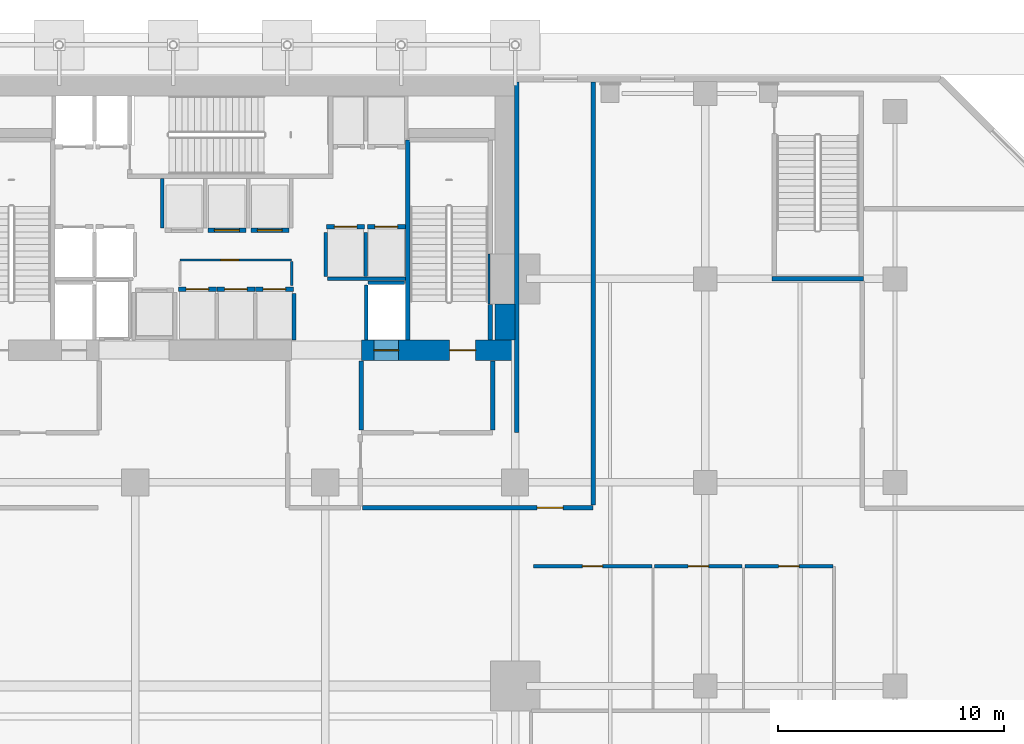
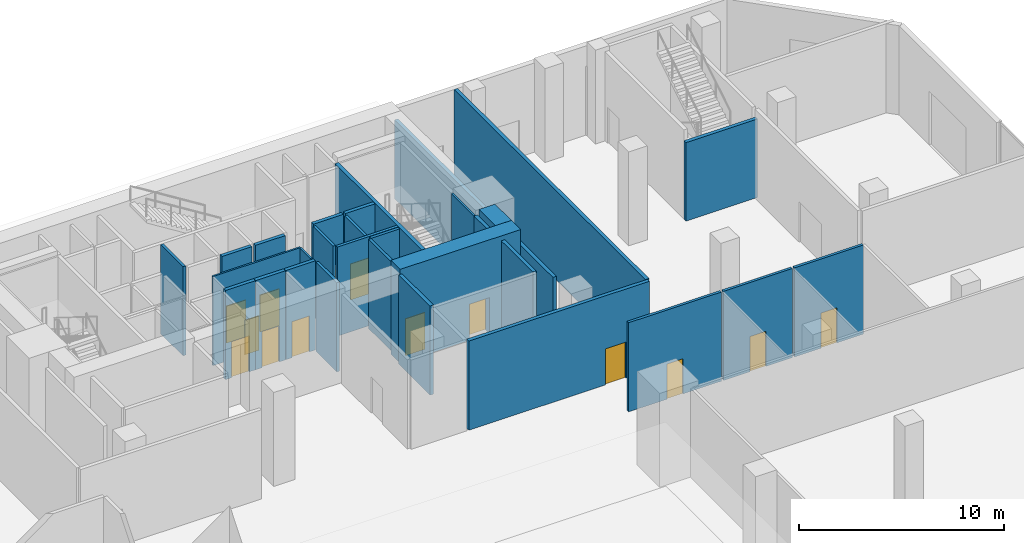
# One storey, part 29 of 35: 30 walls, 14 doors, 14 openings.
"""IFC4 building model written with IfcOpenShell, lengths in metres."""

from ifc_helpers import new_model, si_unit, direction, frame, frame_2d, origin, place, context, subcontext, project, spatial, rectangle, extrude, material, layer, layer_set, type_object, element, fill, save


model = new_model("IFC4")

# Units and contexts
model_context = context("Model", 3, precision=1e-05, world=origin(), true_north=direction((0.0, 1.0)))
body_context = subcontext(model_context, "Body", "Model", "MODEL_VIEW")
ifc_project = project(units=[si_unit("LENGTHUNIT", "METRE"), si_unit("AREAUNIT", "SQUARE_METRE"), si_unit("VOLUMEUNIT", "CUBIC_METRE"), si_unit("PLANEANGLEUNIT", "RADIAN"), si_unit("MASSUNIT", "GRAM", prefix="KILO")], contexts=[model_context])

# Site, building, storey
site_placement = place(None, origin())
site = spatial("IfcSite", under=ifc_project, at=site_placement, CompositionType="ELEMENT")
building_placement = place(site_placement, origin())
building = spatial("IfcBuilding", under=site, at=building_placement, Name="Maruvema Waterfront Hotel and Observation Tower", CompositionType="ELEMENT")
storey_placement = place(building_placement, origin())
storey = spatial("IfcBuildingStorey", under=building, at=storey_placement, Name="L00", CompositionType="ELEMENT", Elevation=0.0)

# Wall, opening, door
ifc_material_1 = material(Name="Twin-stud acoustic gypsum drywall", Category="gypsum")
ifc_layer_1 = layer(ifc_material_1, 0.14990234375, Name="Acoustic Corridor and Suite Demising Wall 150 mm")
ifc_layer_set_1 = layer_set([ifc_layer_1], Name="Twin-stud acoustic gypsum drywall")
wall_type_1 = type_object("IfcWallType", Name="Acoustic Corridor and Suite Demising Wall 150 mm", PredefinedType="PARTITIONING", material=ifc_layer_set_1)
wall_1_placement = place(storey_placement, frame((51.199951171875, 32.300048828125, 0.0), z_axis=(0.0, 0.0, 1.0), x_axis=(1.0, 0.0, 0.0)))
wall_1 = element("IfcWall", 1, at=wall_1_placement, inside=storey, type_object=wall_type_1, Name="L00 L00 Storage Wall 030", PredefinedType="PARTITIONING", context=body_context, shape_type="SweptSolid", body=[
    extrude(rectangle(XDim=5.239990234375, YDim=0.14990234375, at=frame_2d((2.6201171875, 0.0))), origin(), (0.0, 0.0, 1.0), 5.320068359375),
])
opening_1_placement = place(wall_1_placement, frame((2.169921875, 0.0, 0.0)))
opening_1 = element("IfcOpeningElement", 2, at=opening_1_placement, cuts=wall_1, Name="Opening DR-090", PredefinedType="OPENING", context=body_context, shape_type="SweptSolid", body=[
    extrude(rectangle(XDim=0.89990234375, YDim=2.10009765625, at=frame_2d((0.449951171875, 1.050048828125))), frame((0.0, 0.0849609375, 0.0), z_axis=(0.0, -1.0, 0.0), x_axis=(1.0, 0.0, 0.0)), (0.0, 0.0, 1.0), 0.169921875),
])
ifc_material_2 = material(Name="Solid-core lacquered timber leaf", Category="wood")
door_type_1 = type_object("IfcDoorType", Name="Accessible Toilet and Room Door 900x2100 mm", OperationType="NOTDEFINED", PredefinedType="DOOR", material=ifc_material_2)
door_1_placement = place(opening_1_placement, origin())
door_1 = element("IfcDoor", 3, at=door_1_placement, inside=storey, type_object=door_type_1, Name="L00 Back of House Storage Door", OperationType="SINGLE_SWING_LEFT", OverallHeight=2.10009765625, OverallWidth=0.89990234375, PredefinedType="DOOR", context=body_context, shape_type="SweptSolid", body=[
    extrude(rectangle(XDim=0.89990234375, YDim=2.10009765625, at=frame_2d((0.449951171875, 1.050048828125))), frame((0.0, 0.02490234375, 0.0), z_axis=(0.0, -1.0, 0.0), x_axis=(1.0, 0.0, 0.0)), (0.0, 0.0, 1.0), 0.050048828125),
])
fill(opening_1, door_1)

wall_2_placement = place(storey_placement, frame((56.56005859375, 32.300048828125, 0.0), z_axis=(0.0, 0.0, 1.0), x_axis=(1.0, 0.0, 0.0)))
wall_2 = element("IfcWall", 4, at=wall_2_placement, inside=storey, type_object=wall_type_1, Name="L00 L00 Public WC Wall 031", PredefinedType="PARTITIONING", context=body_context, shape_type="SweptSolid", body=[
    extrude(rectangle(XDim=3.8798828125, YDim=0.14990234375, at=frame_2d((1.93994140625, 0.0))), origin(), (0.0, 0.0, 1.0), 5.320068359375),
])
opening_2_placement = place(wall_2_placement, frame((1.489990234375, 0.0, 0.0)))
opening_2 = element("IfcOpeningElement", 5, at=opening_2_placement, cuts=wall_2, Name="Opening DR-090", PredefinedType="OPENING", context=body_context, shape_type="SweptSolid", body=[
    extrude(rectangle(XDim=0.89990234375, YDim=2.10009765625, at=frame_2d((0.449951171875, 1.050048828125))), frame((0.0, 0.0849609375, 0.0), z_axis=(0.0, -1.0, 0.0), x_axis=(1.0, 0.0, 0.0)), (0.0, 0.0, 1.0), 0.169921875),
])
door_2_placement = place(opening_2_placement, origin())
door_2 = element("IfcDoor", 6, at=door_2_placement, inside=storey, type_object=door_type_1, Name="L00 Public Toilet Door", OperationType="SINGLE_SWING_RIGHT", OverallHeight=2.10009765625, OverallWidth=0.89990234375, PredefinedType="DOOR", context=body_context, shape_type="SweptSolid", body=[
    extrude(rectangle(XDim=0.89990234375, YDim=2.10009765625, at=frame_2d((0.449951171875, 1.050048828125))), frame((0.0, 0.02490234375, 0.0), z_axis=(0.0, -1.0, 0.0), x_axis=(1.0, 0.0, 0.0)), (0.0, 0.0, 1.0), 0.050048828125),
])
fill(opening_2, door_2)

wall_3_placement = place(storey_placement, frame((60.56005859375, 32.300048828125, 0.0), z_axis=(0.0, 0.0, 1.0), x_axis=(1.0, 0.0, 0.0)))
wall_3 = element("IfcWall", 7, at=wall_3_placement, inside=storey, type_object=wall_type_1, Name="L00 L00 Acc WC Wall 032", PredefinedType="PARTITIONING", context=body_context, shape_type="SweptSolid", body=[
    extrude(rectangle(XDim=3.889892578125, YDim=0.14990234375, at=frame_2d((1.94482421875, 0.0))), origin(), (0.0, 0.0, 1.0), 5.320068359375),
])
opening_3_placement = place(wall_3_placement, frame((1.4951171875, 0.0, 0.0)))
opening_3 = element("IfcOpeningElement", 8, at=opening_3_placement, cuts=wall_3, Name="Opening DR-090", PredefinedType="OPENING", context=body_context, shape_type="SweptSolid", body=[
    extrude(rectangle(XDim=0.89990234375, YDim=2.10009765625, at=frame_2d((0.449951171875, 1.050048828125))), frame((0.0, 0.0849609375, 0.0), z_axis=(0.0, -1.0, 0.0), x_axis=(1.0, 0.0, 0.0)), (0.0, 0.0, 1.0), 0.169921875),
])
door_3_placement = place(opening_3_placement, origin())
door_3 = element("IfcDoor", 9, at=door_3_placement, inside=storey, type_object=door_type_1, Name="L00 Accessible WC Door", OperationType="SINGLE_SWING_LEFT", OverallHeight=2.10009765625, OverallWidth=0.89990234375, PredefinedType="DOOR", context=body_context, shape_type="SweptSolid", body=[
    extrude(rectangle(XDim=0.89990234375, YDim=2.10009765625, at=frame_2d((0.449951171875, 1.050048828125))), frame((0.0, 0.02490234375, 0.0), z_axis=(0.0, -1.0, 0.0), x_axis=(1.0, 0.0, 0.0)), (0.0, 0.0, 1.0), 0.050048828125),
])
fill(opening_3, door_3)

# Walls
ifc_material_3 = material(Name="Precast concrete C45/55", Category="concrete")
ifc_layer_2 = layer(ifc_material_3, 0.199951171875, Name="Core Shaft and Stairwell Enclosure Wall 200 mm")
ifc_layer_set_2 = layer_set([ifc_layer_2], Name="Precast concrete C45/55")
wall_type_2 = type_object("IfcWallType", Name="Core Shaft and Stairwell Enclosure Wall 200 mm", PredefinedType="SOLIDWALL", material=ifc_layer_set_2)
wall_4_placement = place(storey_placement, frame((45.64990234375, 42.300048828125, 0.0), z_axis=(0.0, 0.0, 1.0), x_axis=(0.0, 1.0, 0.0)))
element("IfcWall", 10, at=wall_4_placement, inside=storey, type_object=wall_type_2, Name="L00 Stairwell ST-03 West Shaft Wall", PredefinedType="SOLIDWALL", context=body_context, shape_type="SweptSolid", body=[
    extrude(rectangle(XDim=8.849853515625, YDim=0.199951171875, at=frame_2d((4.4248046875, 0.0))), origin(), (0.0, 0.0, 1.0), 5.320068359375),
])
wall_5_placement = place(storey_placement, frame((49.300048828125, 42.300048828125, 0.0), z_axis=(0.0, 0.0, 1.0), x_axis=(0.0, 1.0, 0.0)))
element("IfcWall", 11, at=wall_5_placement, inside=storey, type_object=wall_type_2, Name="L00 Stairwell ST-03 Shaft Lining Wall", PredefinedType="SOLIDWALL", context=body_context, shape_type="SweptSolid", body=[
    extrude(rectangle(XDim=1.579833984375, YDim=0.199951171875, at=frame_2d((0.7900390625, 0.0))), origin(), (0.0, 0.0, 1.0), 5.320068359375),
])
wall_6_placement = place(storey_placement, frame((61.75, 45.0, 0.0), z_axis=(0.0, 0.0, 1.0), x_axis=(1.0, 0.0, 0.0)))
element("IfcWall", 12, at=wall_6_placement, inside=storey, type_object=wall_type_2, Name="L00 Stairwell ST-05 Shaft Wall", PredefinedType="SOLIDWALL", context=body_context, shape_type="SweptSolid", body=[
    extrude(rectangle(XDim=4.050048828125, YDim=0.199951171875, at=frame_2d((2.02490234375, 0.0))), origin(), (0.0, 0.0, 1.0), 4.68505859375),
])

# Wall, opening, door
wall_7_placement = place(storey_placement, frame((42.06005859375, 47.300048828125, 0.0), z_axis=(0.0, 0.0, 1.0), x_axis=(1.0, 0.0, 0.0)))
wall_7 = element("IfcWall", 13, at=wall_7_placement, inside=storey, type_object=wall_type_2, Name="L00 Lift LF-05 Hoistway Front Wall", PredefinedType="SOLIDWALL", context=body_context, shape_type="SweptSolid", body=[
    extrude(rectangle(XDim=1.679931640625, YDim=0.199951171875, at=frame_2d((0.83984375, 0.0))), origin(), (0.0, 0.0, 1.0), 5.320068359375),
])
opening_4_placement = place(wall_7_placement, frame((0.340087890625, 0.0, 0.0)))
opening_4 = element("IfcOpeningElement", 14, at=opening_4_placement, cuts=wall_7, Name="Opening LD-01", PredefinedType="OPENING", context=body_context, shape_type="SweptSolid", body=[
    extrude(rectangle(XDim=1.0, YDim=2.14990234375, at=frame_2d((0.5, 1.074951171875))), frame((0.0, 0.10986328125, 0.0), z_axis=(0.0, -1.0, 0.0), x_axis=(1.0, 0.0, 0.0)), (0.0, 0.0, 1.0), 0.219970703125),
])
ifc_material_4 = material(Name="Brushed stainless steel Grade 316", Category="steel")
door_type_2 = type_object("IfcDoorType", Name="Passenger Lift Sliding Landing Door 1000x2150 mm", OperationType="SLIDING_TO_LEFT", PredefinedType="DOOR", material=ifc_material_4)
door_4_placement = place(opening_4_placement, origin())
door_4 = element("IfcDoor", 15, at=door_4_placement, inside=storey, type_object=door_type_2, Name="L00 Lift LF-05 Sliding Landing Door", OperationType="SLIDING_TO_LEFT", OverallHeight=2.14990234375, OverallWidth=1.0, PredefinedType="DOOR", context=body_context, shape_type="SweptSolid", body=[
    extrude(rectangle(XDim=1.0, YDim=2.14990234375, at=frame_2d((0.5, 1.074951171875))), frame((0.0, 0.02490234375, 0.0), z_axis=(0.0, -1.0, 0.0), x_axis=(1.0, 0.0, 0.0)), (0.0, 0.0, 1.0), 0.050048828125),
])
fill(opening_4, door_4)

wall_8_placement = place(storey_placement, frame((43.860107421875, 47.300048828125, 0.0), z_axis=(0.0, 0.0, 1.0), x_axis=(1.0, 0.0, 0.0)))
wall_8 = element("IfcWall", 16, at=wall_8_placement, inside=storey, type_object=wall_type_2, Name="L00 Lift LF-06 Hoistway Front Wall", PredefinedType="SOLIDWALL", context=body_context, shape_type="SweptSolid", body=[
    extrude(rectangle(XDim=1.679931640625, YDim=0.199951171875, at=frame_2d((0.83984375, 0.0))), origin(), (0.0, 0.0, 1.0), 5.320068359375),
])
opening_5_placement = place(wall_8_placement, frame((0.340087890625, 0.0, 0.0)))
opening_5 = element("IfcOpeningElement", 17, at=opening_5_placement, cuts=wall_8, Name="Opening LD-01", PredefinedType="OPENING", context=body_context, shape_type="SweptSolid", body=[
    extrude(rectangle(XDim=1.0, YDim=2.14990234375, at=frame_2d((0.5, 1.074951171875))), frame((0.0, 0.10986328125, 0.0), z_axis=(0.0, -1.0, 0.0), x_axis=(1.0, 0.0, 0.0)), (0.0, 0.0, 1.0), 0.219970703125),
])
door_5_placement = place(opening_5_placement, origin())
door_5 = element("IfcDoor", 18, at=door_5_placement, inside=storey, type_object=door_type_2, Name="L00 Lift LF-06 Sliding Landing Door", OperationType="SLIDING_TO_LEFT", OverallHeight=2.14990234375, OverallWidth=1.0, PredefinedType="DOOR", context=body_context, shape_type="SweptSolid", body=[
    extrude(rectangle(XDim=1.0, YDim=2.14990234375, at=frame_2d((0.5, 1.074951171875))), frame((0.0, 0.02490234375, 0.0), z_axis=(0.0, -1.0, 0.0), x_axis=(1.0, 0.0, 0.0)), (0.0, 0.0, 1.0), 0.050048828125),
])
fill(opening_5, door_5)

wall_9_placement = place(storey_placement, frame((35.510009765625, 44.550048828125, 0.0), z_axis=(0.0, 0.0, 1.0), x_axis=(1.0, 0.0, 0.0)))
wall_9 = element("IfcWall", 19, at=wall_9_placement, inside=storey, type_object=wall_type_2, Name="L00 Lift LF-09 Hoistway Front Wall", PredefinedType="SOLIDWALL", context=body_context, shape_type="SweptSolid", body=[
    extrude(rectangle(XDim=1.679931640625, YDim=0.199951171875, at=frame_2d((0.83984375, 0.0))), origin(), (0.0, 0.0, 1.0), 5.320068359375),
])
opening_6_placement = place(wall_9_placement, frame((0.340087890625, 0.0, 0.0)))
opening_6 = element("IfcOpeningElement", 20, at=opening_6_placement, cuts=wall_9, Name="Opening LD-01", PredefinedType="OPENING", context=body_context, shape_type="SweptSolid", body=[
    extrude(rectangle(XDim=1.0, YDim=2.14990234375, at=frame_2d((0.5, 1.074951171875))), frame((0.0, 0.10986328125, 0.0), z_axis=(0.0, -1.0, 0.0), x_axis=(1.0, 0.0, 0.0)), (0.0, 0.0, 1.0), 0.219970703125),
])
door_6_placement = place(opening_6_placement, origin())
door_6 = element("IfcDoor", 21, at=door_6_placement, inside=storey, type_object=door_type_2, Name="L00 Lift LF-09 Sliding Landing Door", OperationType="SLIDING_TO_LEFT", OverallHeight=2.14990234375, OverallWidth=1.0, PredefinedType="DOOR", context=body_context, shape_type="SweptSolid", body=[
    extrude(rectangle(XDim=1.0, YDim=2.14990234375, at=frame_2d((0.5, 1.074951171875))), frame((0.0, 0.02490234375, 0.0), z_axis=(0.0, -1.0, 0.0), x_axis=(1.0, 0.0, 0.0)), (0.0, 0.0, 1.0), 0.050048828125),
])
fill(opening_6, door_6)

wall_10_placement = place(storey_placement, frame((37.2099609375, 44.550048828125, 0.0), z_axis=(0.0, 0.0, 1.0), x_axis=(1.0, 0.0, 0.0)))
wall_10 = element("IfcWall", 22, at=wall_10_placement, inside=storey, type_object=wall_type_2, Name="L00 Lift LF-10 Hoistway Front Wall", PredefinedType="SOLIDWALL", context=body_context, shape_type="SweptSolid", body=[
    extrude(rectangle(XDim=1.679931640625, YDim=0.199951171875, at=frame_2d((0.83984375, 0.0))), origin(), (0.0, 0.0, 1.0), 5.320068359375),
])
opening_7_placement = place(wall_10_placement, frame((0.340087890625, 0.0, 0.0)))
opening_7 = element("IfcOpeningElement", 23, at=opening_7_placement, cuts=wall_10, Name="Opening LD-01", PredefinedType="OPENING", context=body_context, shape_type="SweptSolid", body=[
    extrude(rectangle(XDim=1.0, YDim=2.14990234375, at=frame_2d((0.5, 1.074951171875))), frame((0.0, 0.10986328125, 0.0), z_axis=(0.0, -1.0, 0.0), x_axis=(1.0, 0.0, 0.0)), (0.0, 0.0, 1.0), 0.219970703125),
])
door_7_placement = place(opening_7_placement, origin())
door_7 = element("IfcDoor", 24, at=door_7_placement, inside=storey, type_object=door_type_2, Name="L00 Lift LF-10 Sliding Landing Door", OperationType="SLIDING_TO_LEFT", OverallHeight=2.14990234375, OverallWidth=1.0, PredefinedType="DOOR", context=body_context, shape_type="SweptSolid", body=[
    extrude(rectangle(XDim=1.0, YDim=2.14990234375, at=frame_2d((0.5, 1.074951171875))), frame((0.0, 0.02490234375, 0.0), z_axis=(0.0, -1.0, 0.0), x_axis=(1.0, 0.0, 0.0)), (0.0, 0.0, 1.0), 0.050048828125),
])
fill(opening_7, door_7)

wall_11_placement = place(storey_placement, frame((38.909912109375, 44.550048828125, 0.0), z_axis=(0.0, 0.0, 1.0), x_axis=(1.0, 0.0, 0.0)))
wall_11 = element("IfcWall", 25, at=wall_11_placement, inside=storey, type_object=wall_type_2, Name="L00 Lift LF-11 Hoistway Front Wall", PredefinedType="SOLIDWALL", context=body_context, shape_type="SweptSolid", body=[
    extrude(rectangle(XDim=1.68017578125, YDim=0.199951171875, at=frame_2d((0.840087890625, 0.0))), origin(), (0.0, 0.0, 1.0), 5.320068359375),
])
opening_8_placement = place(wall_11_placement, frame((0.340087890625, 0.0, 0.0)))
opening_8 = element("IfcOpeningElement", 26, at=opening_8_placement, cuts=wall_11, Name="Opening LD-01", PredefinedType="OPENING", context=body_context, shape_type="SweptSolid", body=[
    extrude(rectangle(XDim=1.0, YDim=2.14990234375, at=frame_2d((0.5, 1.074951171875))), frame((0.0, 0.10986328125, 0.0), z_axis=(0.0, -1.0, 0.0), x_axis=(1.0, 0.0, 0.0)), (0.0, 0.0, 1.0), 0.219970703125),
])
door_8_placement = place(opening_8_placement, origin())
door_8 = element("IfcDoor", 27, at=door_8_placement, inside=storey, type_object=door_type_2, Name="L00 Lift LF-11 Sliding Landing Door", OperationType="SLIDING_TO_LEFT", OverallHeight=2.14990234375, OverallWidth=1.0, PredefinedType="DOOR", context=body_context, shape_type="SweptSolid", body=[
    extrude(rectangle(XDim=1.0, YDim=2.14990234375, at=frame_2d((0.5, 1.074951171875))), frame((0.0, 0.02490234375, 0.0), z_axis=(0.0, -1.0, 0.0), x_axis=(1.0, 0.0, 0.0)), (0.0, 0.0, 1.0), 0.050048828125),
])
fill(opening_8, door_8)

wall_12_placement = place(storey_placement, frame((36.81005859375, 47.14990234375, 0.0), z_axis=(0.0, 0.0, 1.0), x_axis=(1.0, 0.0, 0.0)))
wall_12 = element("IfcWall", 28, at=wall_12_placement, inside=storey, type_object=wall_type_2, Name="L00 Lift LF-13 Hoistway Front Wall", PredefinedType="SOLIDWALL", context=body_context, shape_type="SweptSolid", body=[
    extrude(rectangle(XDim=1.679931640625, YDim=0.199951171875, at=frame_2d((0.83984375, 0.0))), origin(), (0.0, 0.0, 1.0), 5.320068359375),
])
opening_9_placement = place(wall_12_placement, frame((0.2900390625, 0.0, 0.0)))
opening_9 = element("IfcOpeningElement", 29, at=opening_9_placement, cuts=wall_12, Name="Opening LD-02", PredefinedType="OPENING", context=body_context, shape_type="SweptSolid", body=[
    extrude(rectangle(XDim=1.10009765625, YDim=2.199951171875, at=frame_2d((0.550048828125, 1.10009765625))), frame((0.0, 0.10986328125, 0.0), z_axis=(0.0, -1.0, 0.0), x_axis=(1.0, 0.0, 0.0)), (0.0, 0.0, 1.0), 0.219970703125),
])
ifc_material_5 = material(Name="Brushed stainless steel Grade 316", Category="steel")
door_type_3 = type_object("IfcDoorType", Name="Shuttle Lift Sliding Landing Door 1100x2200 mm", OperationType="SLIDING_TO_RIGHT", PredefinedType="DOOR", material=ifc_material_5)
door_9_placement = place(opening_9_placement, frame((1.10009765625, 0.0, 0.0), z_axis=(0.0, 0.0, 1.0), x_axis=(-1.0, 0.0, 0.0)))
door_9 = element("IfcDoor", 30, at=door_9_placement, inside=storey, type_object=door_type_3, Name="L00 Lift LF-13 Sliding Landing Door", OperationType="SLIDING_TO_RIGHT", OverallHeight=2.199951171875, OverallWidth=1.10009765625, PredefinedType="DOOR", context=body_context, shape_type="SweptSolid", body=[
    extrude(rectangle(XDim=1.10009765625, YDim=2.199951171875, at=frame_2d((0.550048828125, 1.10009765625))), frame((0.0, 0.02490234375, 0.0), z_axis=(0.0, -1.0, 0.0), x_axis=(1.0, 0.0, 0.0)), (0.0, 0.0, 1.0), 0.050048828125),
])
fill(opening_9, door_9)

wall_13_placement = place(storey_placement, frame((38.7099609375, 47.14990234375, 0.0), z_axis=(0.0, 0.0, 1.0), x_axis=(1.0, 0.0, 0.0)))
wall_13 = element("IfcWall", 31, at=wall_13_placement, inside=storey, type_object=wall_type_2, Name="L00 Lift LF-14 Hoistway Front Wall", PredefinedType="SOLIDWALL", context=body_context, shape_type="SweptSolid", body=[
    extrude(rectangle(XDim=1.679931640625, YDim=0.199951171875, at=frame_2d((0.83984375, 0.0))), origin(), (0.0, 0.0, 1.0), 5.320068359375),
])
opening_10_placement = place(wall_13_placement, frame((0.2900390625, 0.0, 0.0)))
opening_10 = element("IfcOpeningElement", 32, at=opening_10_placement, cuts=wall_13, Name="Opening LD-02", PredefinedType="OPENING", context=body_context, shape_type="SweptSolid", body=[
    extrude(rectangle(XDim=1.10009765625, YDim=2.199951171875, at=frame_2d((0.550048828125, 1.10009765625))), frame((0.0, 0.10986328125, 0.0), z_axis=(0.0, -1.0, 0.0), x_axis=(1.0, 0.0, 0.0)), (0.0, 0.0, 1.0), 0.219970703125),
])
door_10_placement = place(opening_10_placement, frame((1.10009765625, 0.0, 0.0), z_axis=(0.0, 0.0, 1.0), x_axis=(-1.0, 0.0, 0.0)))
door_10 = element("IfcDoor", 33, at=door_10_placement, inside=storey, type_object=door_type_3, Name="L00 Lift LF-14 Sliding Landing Door", OperationType="SLIDING_TO_RIGHT", OverallHeight=2.199951171875, OverallWidth=1.10009765625, PredefinedType="DOOR", context=body_context, shape_type="SweptSolid", body=[
    extrude(rectangle(XDim=1.10009765625, YDim=2.199951171875, at=frame_2d((0.550048828125, 1.10009765625))), frame((0.0, 0.02490234375, 0.0), z_axis=(0.0, -1.0, 0.0), x_axis=(1.0, 0.0, 0.0)), (0.0, 0.0, 1.0), 0.050048828125),
])
fill(opening_10, door_10)

# Wall, openings, doors
ifc_material_6 = material(Name="Concrete C80/95", Category="concrete")
ifc_layer_3 = layer(ifc_material_6, 0.89990234375, Name="Core Shear Wall 900 mm")
ifc_layer_set_3 = layer_set([ifc_layer_3], Name="Concrete C80/95")
wall_type_3 = type_object("IfcWallType", Name="Core Shear Wall 900 mm", PredefinedType="SHEAR", material=ifc_layer_set_3)
wall_14_placement = place(storey_placement, frame((43.60009765625, 41.85009765625, 0.0), z_axis=(0.0, 0.0, 1.0), x_axis=(1.0, 0.0, 0.0)))
wall_14 = element("IfcWall", 34, at=wall_14_placement, inside=storey, type_object=wall_type_3, Name="L00 South-East Core Shear Wall", PredefinedType="SHEAR", context=body_context, shape_type="SweptSolid", body=[
    extrude(rectangle(XDim=6.7998046875, YDim=0.89990234375, at=frame_2d((3.39990234375, 0.0))), origin(), (0.0, 0.0, 1.0), 5.60009765625),
])
opening_11_placement = place(wall_14_placement, frame((3.89990234375, 0.0, 0.0)))
opening_11 = element("IfcOpeningElement", 35, at=opening_11_placement, cuts=wall_14, Name="Opening SD-01", PredefinedType="OPENING", context=body_context, shape_type="SweptSolid", body=[
    extrude(rectangle(XDim=1.14990234375, YDim=2.14990234375, at=frame_2d((0.574951171875, 1.074951171875))), frame((0.0, 0.4599609375, 0.0), z_axis=(0.0, -1.0, 0.0), x_axis=(1.0, 0.0, 0.0)), (0.0, 0.0, 1.0), 0.919921875),
])
opening_12_placement = place(wall_14_placement, frame((0.550048828125, 0.0, 0.0)))
opening_12 = element("IfcOpeningElement", 36, at=opening_12_placement, cuts=wall_14, Name="Opening LD-03", PredefinedType="OPENING", context=body_context, shape_type="SweptSolid", body=[
    extrude(rectangle(XDim=1.10009765625, YDim=2.199951171875, at=frame_2d((0.550048828125, 1.10009765625))), frame((0.0, 0.4599609375, 0.0), z_axis=(0.0, -1.0, 0.0), x_axis=(1.0, 0.0, 0.0)), (0.0, 0.0, 1.0), 0.919921875),
])
ifc_material_7 = material(Name="Fire-rated galvanised steel leaf", Category="steel")
door_type_4 = type_object("IfcDoorType", Name="Exit Stair Fire Door 1150x2150 mm", OperationType="NOTDEFINED", PredefinedType="DOOR", material=ifc_material_7)
door_11_placement = place(opening_11_placement, frame((1.14990234375, 0.0, 0.0), z_axis=(0.0, 0.0, 1.0), x_axis=(-1.0, 0.0, 0.0)))
door_11 = element("IfcDoor", 37, at=door_11_placement, inside=storey, type_object=door_type_4, Name="L00 Exit Stair ST-03 Fire Door", OperationType="SINGLE_SWING_RIGHT", OverallHeight=2.14990234375, OverallWidth=1.14990234375, PredefinedType="DOOR", context=body_context, shape_type="SweptSolid", body=[
    extrude(rectangle(XDim=1.14990234375, YDim=2.14990234375, at=frame_2d((0.574951171875, 1.074951171875))), frame((0.0, 0.02490234375, 0.0), z_axis=(0.0, -1.0, 0.0), x_axis=(1.0, 0.0, 0.0)), (0.0, 0.0, 1.0), 0.050048828125),
])
fill(opening_11, door_11)
ifc_material_8 = material(Name="Brushed stainless steel Grade 316", Category="steel")
door_type_5 = type_object("IfcDoorType", Name="Firefighting Lift Sliding Landing Door 1100x2200 mm", OperationType="SLIDING_TO_LEFT", PredefinedType="DOOR", material=ifc_material_8)
door_12_placement = place(opening_12_placement, frame((1.10009765625, 0.0, 0.0), z_axis=(0.0, 0.0, 1.0), x_axis=(-1.0, 0.0, 0.0)))
door_12 = element("IfcDoor", 38, at=door_12_placement, inside=storey, type_object=door_type_5, Name="L00 Firefighting Lift FL-02 Landing Door", OperationType="SLIDING_TO_LEFT", OverallHeight=2.199951171875, OverallWidth=1.10009765625, PredefinedType="DOOR", context=body_context, shape_type="SweptSolid", body=[
    extrude(rectangle(XDim=1.10009765625, YDim=2.199951171875, at=frame_2d((0.550048828125, 1.10009765625))), frame((0.0, 0.02490234375, 0.0), z_axis=(0.0, -1.0, 0.0), x_axis=(1.0, 0.0, 0.0)), (0.0, 0.0, 1.0), 0.050048828125),
])
fill(opening_12, door_12)

# Wall
wall_15_placement = place(storey_placement, frame((49.949951171875, 42.300048828125, 0.0), z_axis=(0.0, 0.0, 1.0), x_axis=(0.0, 1.0, 0.0)))
element("IfcWall", 39, at=wall_15_placement, inside=storey, type_object=wall_type_3, Name="L00 East-South Core Shear Wall", PredefinedType="SHEAR", context=body_context, shape_type="SweptSolid", body=[
    extrude(rectangle(XDim=1.599853515625, YDim=0.89990234375, at=frame_2d((0.7998046875, 0.0))), origin(), (0.0, 0.0, 1.0), 5.60009765625),
])

# Wall, opening, door
ifc_material_9 = material(Name="Moisture-resistant cement-board drywall", Category="gypsum")
ifc_layer_4 = layer(ifc_material_9, 0.10009765625, Name="En-Suite Moisture-Resistant Partition 100 mm")
ifc_layer_set_4 = layer_set([ifc_layer_4], Name="Moisture-resistant cement-board drywall")
wall_type_4 = type_object("IfcWallType", Name="En-Suite Moisture-Resistant Partition 100 mm", PredefinedType="PARTITIONING", material=ifc_layer_set_4)
wall_16_placement = place(storey_placement, frame((35.580078125, 45.840087890625, 0.0), z_axis=(0.0, 0.0, 1.0), x_axis=(1.0, 0.0, 0.0)))
wall_16 = element("IfcWall", 40, at=wall_16_placement, inside=storey, type_object=wall_type_4, Name="L00 Core Closet K0 North 010", PredefinedType="PARTITIONING", context=body_context, shape_type="SweptSolid", body=[
    extrude(rectangle(XDim=4.93994140625, YDim=0.10009765625, at=frame_2d((2.469970703125, 0.0))), origin(), (0.0, 0.0, 1.0), 5.320068359375),
])
opening_13_placement = place(wall_16_placement, frame((1.800048828125, 0.0, 0.0)))
opening_13 = element("IfcOpeningElement", 41, at=opening_13_placement, cuts=wall_16, Name="Opening DR-080", PredefinedType="OPENING", context=body_context, shape_type="SweptSolid", body=[
    extrude(rectangle(XDim=0.800048828125, YDim=2.050048828125, at=frame_2d((0.39990234375, 1.02490234375))), frame((0.0, 0.06005859375, 0.0), z_axis=(0.0, -1.0, 0.0), x_axis=(1.0, 0.0, 0.0)), (0.0, 0.0, 1.0), 0.1201171875),
])
ifc_material_10 = material(Name="Powder-coated steel access leaf", Category="steel")
door_type_6 = type_object("IfcDoorType", Name="Riser and Service Cupboard Door 800x2050 mm", OperationType="NOTDEFINED", PredefinedType="DOOR", material=ifc_material_10)
door_13_placement = place(opening_13_placement, origin())
door_13 = element("IfcDoor", 42, at=door_13_placement, inside=storey, type_object=door_type_6, Name="L00 Core Electrical Closet Door", OperationType="SINGLE_SWING_LEFT", OverallHeight=2.050048828125, OverallWidth=0.800048828125, PredefinedType="DOOR", context=body_context, shape_type="SweptSolid", body=[
    extrude(rectangle(XDim=0.800048828125, YDim=2.050048828125, at=frame_2d((0.39990234375, 1.02490234375))), frame((0.0, 0.02490234375, 0.0), z_axis=(0.0, -1.0, 0.0), x_axis=(1.0, 0.0, 0.0)), (0.0, 0.0, 1.0), 0.050048828125),
])
fill(opening_13, door_13)

# Walls
wall_17_placement = place(storey_placement, frame((40.52001953125, 44.699951171875, 0.0), z_axis=(0.0, 0.0, 1.0), x_axis=(0.0, 1.0, 0.0)))
element("IfcWall", 43, at=wall_17_placement, inside=storey, type_object=wall_type_4, Name="L00 Core Closet K0 East 012", PredefinedType="PARTITIONING", context=body_context, shape_type="SweptSolid", body=[
    extrude(rectangle(XDim=1.080078125, YDim=0.10009765625, at=frame_2d((0.5400390625, 0.0))), origin(), (0.0, 0.0, 1.0), 5.320068359375),
])
ifc_material_11 = material(Name="Autoclaved cellular concrete blockwork", Category="masonry")
ifc_layer_5 = layer(ifc_material_11, 0.199951171875, Name="Fire Compartment Masonry Wall 200 mm")
ifc_layer_set_5 = layer_set([ifc_layer_5], Name="Autoclaved cellular concrete blockwork")
wall_type_5 = type_object("IfcWallType", Name="Fire Compartment Masonry Wall 200 mm", PredefinedType="PARTITIONING", material=ifc_layer_set_5)
for number, where, z_axis, x_axis, name in (
    (44, (43.60009765625, 38.31005859375, 0.0), (0.0, 0.0, 1.0), (0.0, 1.0, 0.0), "L00 FFL East West Wall 005"),
    (45, (49.39990234375, 38.31005859375, 0.0), (0.0, 0.0, 1.0), (0.0, 1.0, 0.0), "L00 FFL East East Wall 006"),
):
    element("IfcWall", number, at=place(storey_placement, frame(where, z_axis=z_axis, x_axis=x_axis)), inside=storey, type_object=wall_type_5, Name=name, PredefinedType="PARTITIONING", context=body_context, shape_type="SweptSolid", body=[
        extrude(rectangle(XDim=3.06982421875, YDim=0.199951171875, at=frame_2d((1.534912109375, 0.0))), origin(), (0.0, 0.0, 1.0), 5.320068359375),
    ])

# Wall, opening, door
wall_18_placement = place(storey_placement, frame((43.64990234375, 34.8798828125, 0.0), z_axis=(0.0, 0.0, 1.0), x_axis=(1.0, 0.0, 0.0)))
wall_18 = element("IfcWall", 46, at=wall_18_placement, inside=storey, type_object=wall_type_5, Name="L00 East Exit Passage South Wall 016", PredefinedType="PARTITIONING", context=body_context, shape_type="SweptSolid", body=[
    extrude(rectangle(XDim=10.2001953125, YDim=0.199951171875, at=frame_2d((5.10009765625, 0.0))), origin(), (0.0, 0.0, 1.0), 5.320068359375),
])
opening_14_placement = place(wall_18_placement, frame((7.719970703125, 0.0, 0.0)))
opening_14 = element("IfcOpeningElement", 47, at=opening_14_placement, cuts=wall_18, Name="Opening FD-115", PredefinedType="OPENING", context=body_context, shape_type="SweptSolid", body=[
    extrude(rectangle(XDim=1.14990234375, YDim=2.14990234375, at=frame_2d((0.574951171875, 1.074951171875))), frame((0.0, 0.10986328125, 0.0), z_axis=(0.0, -1.0, 0.0), x_axis=(1.0, 0.0, 0.0)), (0.0, 0.0, 1.0), 0.219970703125),
])
ifc_material_12 = material(Name="Fire-rated galvanised steel and vision glass", Category="steel")
door_type_7 = type_object("IfcDoorType", Name="Firefighting Lobby Fire Door 1150x2150 mm", OperationType="NOTDEFINED", PredefinedType="DOOR", material=ifc_material_12)
door_14_placement = place(opening_14_placement, origin())
door_14 = element("IfcDoor", 48, at=door_14_placement, inside=storey, type_object=door_type_7, Name="L00 East Exit Passageway Door", OperationType="SINGLE_SWING_LEFT", OverallHeight=2.14990234375, OverallWidth=1.14990234375, PredefinedType="DOOR", context=body_context, shape_type="SweptSolid", body=[
    extrude(rectangle(XDim=1.14990234375, YDim=2.14990234375, at=frame_2d((0.574951171875, 1.074951171875))), frame((0.0, 0.02490234375, 0.0), z_axis=(0.0, -1.0, 0.0), x_axis=(1.0, 0.0, 0.0)), (0.0, 0.0, 1.0), 0.050048828125),
])
fill(opening_14, door_14)

# Walls
wall_19_placement = place(storey_placement, frame((53.85009765625, 35.0, 0.0), z_axis=(0.0, 0.0, 1.0), x_axis=(0.0, 1.0, 0.0)))
element("IfcWall", 49, at=wall_19_placement, inside=storey, type_object=wall_type_5, Name="L00 East Exit Passage East Wall 017", PredefinedType="PARTITIONING", context=body_context, shape_type="SweptSolid", body=[
    extrude(rectangle(XDim=18.699951171875, YDim=0.199951171875, at=frame_2d((9.35009765625, 0.0))), origin(), (0.0, 0.0, 1.0), 5.320068359375),
])
wall_20_placement = place(storey_placement, frame((50.47998046875, 38.199951171875, 0.0), z_axis=(0.0, 0.0, 1.0), x_axis=(0.0, 1.0, 0.0)))
element("IfcWall", 50, at=wall_20_placement, inside=storey, type_object=wall_type_5, Name="L00 East Exit Passage Inner Wall 018", PredefinedType="PARTITIONING", context=body_context, shape_type="SweptSolid", body=[
    extrude(rectangle(XDim=15.5, YDim=0.199951171875, at=frame_2d((7.75, 0.0))), origin(), (0.0, 0.0, 1.0), 4.68505859375),
])
ifc_material_13 = material(Name="Precast concrete C45/55", Category="concrete")
ifc_layer_6 = layer(ifc_material_13, 0.159912109375, Name="Lift Hoistway Divider Wall 160 mm")
ifc_layer_set_6 = layer_set([ifc_layer_6], Name="Precast concrete C45/55")
wall_type_6 = type_object("IfcWallType", Name="Lift Hoistway Divider Wall 160 mm", PredefinedType="SOLIDWALL", material=ifc_layer_set_6)
wall_21_placement = place(storey_placement, frame((43.89990234375, 44.830078125, 0.0), z_axis=(0.0, 0.0, 1.0), x_axis=(1.0, 0.0, 0.0)))
element("IfcWall", 51, at=wall_21_placement, inside=storey, type_object=wall_type_6, Name="L00 Lift FL-02 Rear Hoistway Wall", PredefinedType="SOLIDWALL", context=body_context, shape_type="SweptSolid", body=[
    extrude(rectangle(XDim=1.60009765625, YDim=0.159912109375, at=frame_2d((0.800048828125, 0.0))), origin(), (0.0, 0.0, 1.0), 5.320068359375),
])
wall_22_placement = place(storey_placement, frame((43.820068359375, 42.300048828125, 0.0), z_axis=(0.0, 0.0, 1.0), x_axis=(0.0, 1.0, 0.0)))
element("IfcWall", 52, at=wall_22_placement, inside=storey, type_object=wall_type_6, Name="L00 Lift FL-02 Inner Hoistway Wall", PredefinedType="SOLIDWALL", context=body_context, shape_type="SweptSolid", body=[
    extrude(rectangle(XDim=2.43994140625, YDim=0.159912109375, at=frame_2d((1.219970703125, 0.0))), origin(), (0.0, 0.0, 1.0), 5.320068359375),
])
for number, where, z_axis, x_axis, name in (
    (53, (42.02001953125, 45.10009765625, 0.0), (0.0, 0.0, 1.0), (0.0, 1.0, 0.0), "L00 Hoistway Divider Wall"),
    (54, (43.800048828125, 45.10009765625, 0.0), (0.0, 0.0, 1.0), (0.0, 1.0, 0.0), "L00 Hoistway Divider Wall"),
):
    element("IfcWall", number, at=place(storey_placement, frame(where, z_axis=z_axis, x_axis=x_axis)), inside=storey, type_object=wall_type_6, Name=name, PredefinedType="SOLIDWALL", context=body_context, shape_type="SweptSolid", body=[
        extrude(rectangle(XDim=1.949951171875, YDim=0.159912109375, at=frame_2d((0.97509765625, 0.0))), origin(), (0.0, 0.0, 1.0), 5.320068359375),
    ])
wall_23_placement = place(storey_placement, frame((42.10009765625, 45.010009765625, 0.0), z_axis=(0.0, 0.0, 1.0), x_axis=(1.0, 0.0, 0.0)))
element("IfcWall", 55, at=wall_23_placement, inside=storey, type_object=wall_type_6, Name="L00 Hoistway Divider Wall", PredefinedType="SOLIDWALL", context=body_context, shape_type="SweptSolid", body=[
    extrude(rectangle(XDim=3.449951171875, YDim=0.159912109375, at=frame_2d((1.72509765625, 0.0))), origin(), (0.0, 0.0, 1.0), 5.320068359375),
])
wall_24_placement = place(storey_placement, frame((40.6201171875, 42.300048828125, 0.0), z_axis=(0.0, 0.0, 1.0), x_axis=(0.0, 1.0, 0.0)))
element("IfcWall", 56, at=wall_24_placement, inside=storey, type_object=wall_type_6, Name="L00 Hoistway Divider Wall", PredefinedType="SOLIDWALL", context=body_context, shape_type="SweptSolid", body=[
    extrude(rectangle(XDim=2.050048828125, YDim=0.159912109375, at=frame_2d((1.02490234375, 0.0))), origin(), (0.0, 0.0, 1.0), 5.320068359375),
])
wall_25_placement = place(storey_placement, frame((34.800048828125, 47.25, 0.0), z_axis=(0.0, 0.0, 1.0), x_axis=(0.0, 1.0, 0.0)))
element("IfcWall", 57, at=wall_25_placement, inside=storey, type_object=wall_type_6, Name="L00 Hoistway Divider Wall", PredefinedType="SOLIDWALL", context=body_context, shape_type="SweptSolid", body=[
    extrude(rectangle(XDim=2.18994140625, YDim=0.159912109375, at=frame_2d((1.094970703125, 0.0))), origin(), (0.0, 0.0, 1.0), 5.320068359375),
])
ifc_material_14 = material(Name="Precast concrete C45/55", Category="concrete")
ifc_layer_7 = layer(ifc_material_14, 0.10009765625, Name="Stairwell Stringer Cheek Wall 100 mm")
ifc_layer_set_7 = layer_set([ifc_layer_7], Name="Precast concrete C45/55")
wall_type_7 = type_object("IfcWallType", Name="Stairwell Stringer Cheek Wall 100 mm", PredefinedType="SOLIDWALL", material=ifc_layer_set_7)
wall_26_placement = place(storey_placement, frame((49.248046875, 43.89990234375, 0.0), z_axis=(0.0, 0.0, 1.0), x_axis=(0.0, 1.0, 0.0)))
element("IfcWall", 58, at=wall_26_placement, inside=storey, type_object=wall_type_7, Name="L00 Stairwell ST-03 Mega-Column Cheek Wall", PredefinedType="SOLIDWALL", context=body_context, shape_type="SweptSolid", body=[
    extrude(rectangle(XDim=2.2001953125, YDim=0.10009765625, at=frame_2d((1.10009765625, 0.0))), origin(), (0.0, 0.0, 1.0), 5.320068359375),
])

save(model, "model.ifc")
